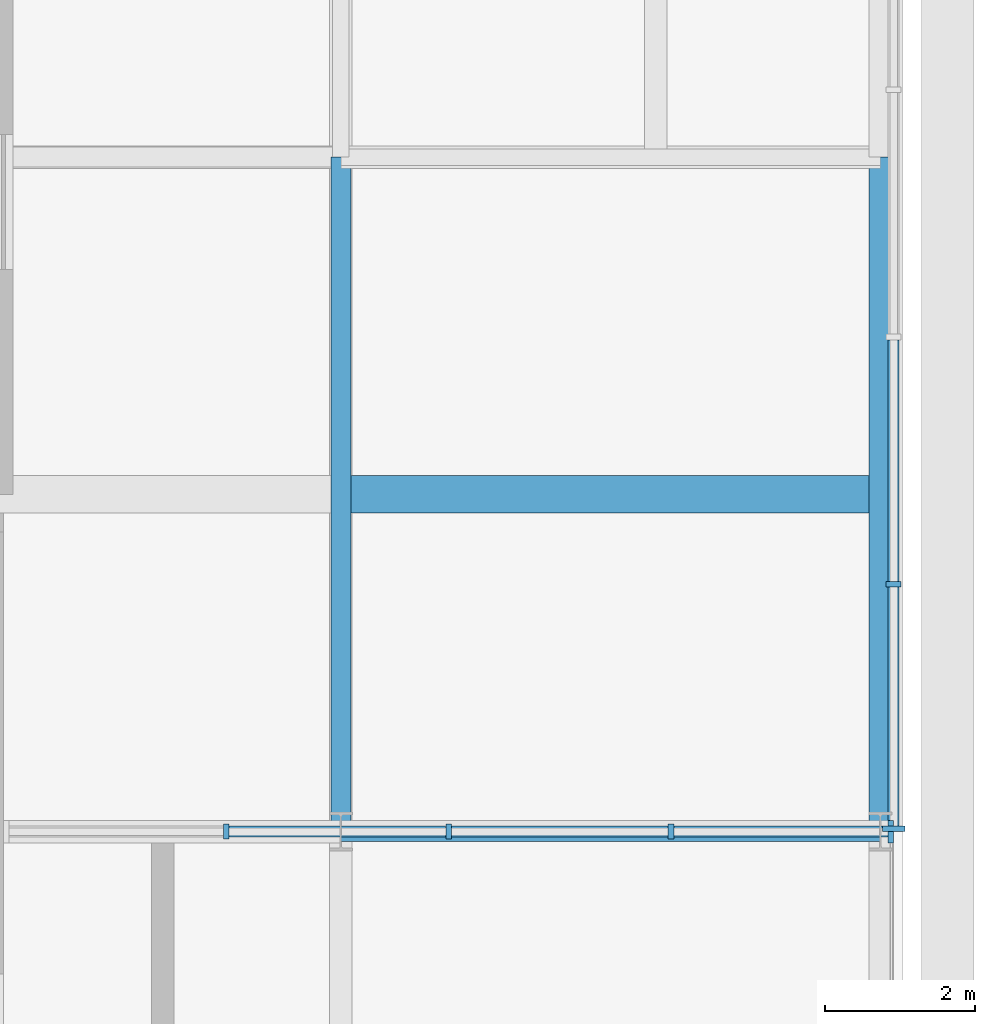
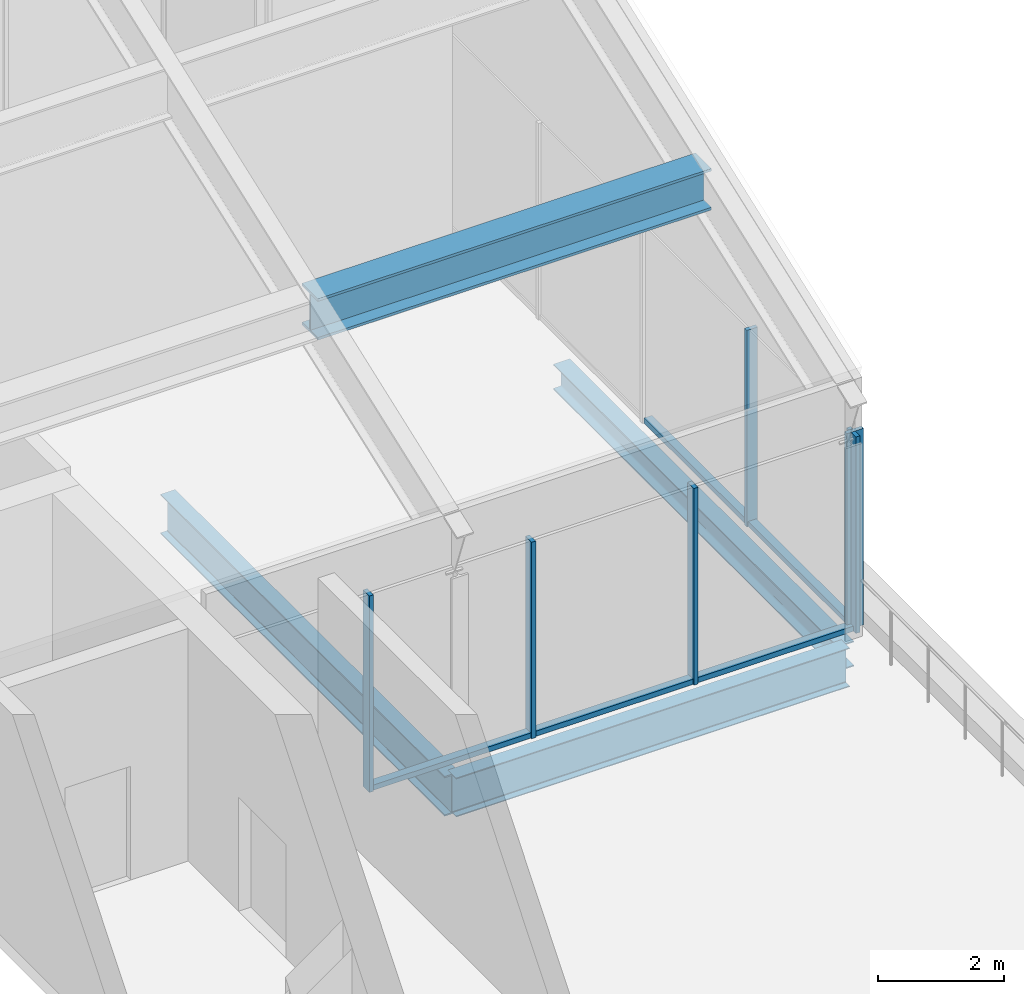
# One storey, part 4 of 10: 12 members, 3 beams, 2 elements without a shape of their own.
"""IFC4 building model written with IfcOpenShell, lengths in metres."""

from ifc_helpers import new_model, si_unit, direction, frame, origin, origin_2d, place, context, subcontext, project, spatial, rectangle, i_section, extrude, material, layer, layer_set, material_profile, profile_set, type_object, element, aggregate, save


model = new_model("IFC4")

# Units and contexts
model_context = context("Model", 3, precision=1e-05, world=origin(), true_north=direction((0.0, 1.0)))
body_context = subcontext(model_context, "Body", "Model", "MODEL_VIEW")
ifc_project = project(units=[si_unit("LENGTHUNIT", "METRE"), si_unit("AREAUNIT", "SQUARE_METRE"), si_unit("VOLUMEUNIT", "CUBIC_METRE"), si_unit("PLANEANGLEUNIT", "RADIAN"), si_unit("MASSUNIT", "GRAM", prefix="KILO")], contexts=[model_context])

# Site, building, storey
site_placement = place(None, origin())
site = spatial("IfcSite", under=ifc_project, at=site_placement, CompositionType="ELEMENT")
building_placement = place(site_placement, origin())
building = spatial("IfcBuilding", under=site, at=building_placement, Name="Malebo Sky Hospital", CompositionType="ELEMENT")
storey_placement = place(building_placement, frame((0.0, 0.0, 290.0)))
storey = spatial("IfcBuildingStorey", under=building, at=storey_placement, Name="RF", CompositionType="ELEMENT", Elevation=290.0)

# Curtain wall, members
ifc_material_1 = material(Name="Anodised aluminium, natural silver", Category="aluminium")
ifc_layer = layer(ifc_material_1, 0.25)
ifc_layer_set = layer_set([ifc_layer], Name="PENTHOUSE LOUVRE SCREEN")
curtain_wall_type = type_object("IfcCurtainWallType", Name="PENTHOUSE LOUVRE SCREEN", PredefinedType="NOTDEFINED", material=ifc_layer_set)
curtain_wall_1_placement = place(storey_placement, origin())
curtain_wall_1 = element("IfcCurtainWall", 1, at=curtain_wall_1_placement, inside=storey, type_object=curtain_wall_type, Name="ROOF curtain wall SE", PredefinedType="NOTDEFINED")
ifc_material_profile_1 = material_profile(ifc_material_1, rectangle(XDim=0.14990234375, YDim=0.10009765625, at=origin_2d()), Name="ALUMINIUM TRANSOM 150x100")
ifc_profile_set_1 = profile_set([ifc_material_profile_1], Name="Anodised aluminium, natural silver")
member_type_1 = type_object("IfcMemberType", Name="ALUMINIUM TRANSOM 150x100", PredefinedType="USERDEFINED", material=ifc_profile_set_1)
member_1_placement = place(storey_placement, frame((72.00634765625, 66.5, 0.050048828125), z_axis=(1.0, 0.0, 0.0), x_axis=(0.0, 1.0, 0.0)))
member_1 = element("IfcMember", 2, at=member_1_placement, type_object=member_type_1, Name="Transom 2", ObjectType="TRANSOM", PredefinedType="USERDEFINED", context=body_context, shape_type="SweptSolid", body=[
    extrude(rectangle(XDim=0.14990234375, YDim=0.10009765625, at=origin_2d()), origin(), (0.0, 0.0, 1.0), 2.8935546875),
])
member_2_placement = place(storey_placement, frame((74.97509765625, 66.5, 0.050048828125), z_axis=(1.0, 0.0, 0.0), x_axis=(0.0, 1.0, 0.0)))
member_2 = element("IfcMember", 3, at=member_2_placement, type_object=member_type_1, Name="Transom 3", ObjectType="TRANSOM", PredefinedType="USERDEFINED", context=body_context, shape_type="SweptSolid", body=[
    extrude(rectangle(XDim=0.14990234375, YDim=0.10009765625, at=origin_2d()), origin(), (0.0, 0.0, 1.0), 2.8935546875),
])
member_3_placement = place(storey_placement, frame((77.943603515625, 66.5, 0.050048828125), z_axis=(1.0, 0.0, 0.0), x_axis=(0.0, 1.0, 0.0)))
member_3 = element("IfcMember", 4, at=member_3_placement, type_object=member_type_1, Name="Transom 4", ObjectType="TRANSOM", PredefinedType="USERDEFINED", context=body_context, shape_type="SweptSolid", body=[
    extrude(rectangle(XDim=0.14990234375, YDim=0.10009765625, at=origin_2d()), origin(), (0.0, 0.0, 1.0), 2.8564453125),
])

curtain_wall_2_placement = place(storey_placement, origin())
curtain_wall_2 = element("IfcCurtainWall", 5, at=curtain_wall_2_placement, inside=storey, type_object=curtain_wall_type, Name="ROOF curtain wall E", PredefinedType="NOTDEFINED")
member_4_placement = place(storey_placement, frame((80.875, 66.574951171875, 0.050048828125), z_axis=(0.0, 1.0, 0.0), x_axis=(-1.0, 0.0, 0.0)))
member_4 = element("IfcMember", 6, at=member_4_placement, type_object=member_type_1, Name="Transom 1", ObjectType="TRANSOM", PredefinedType="USERDEFINED", context=body_context, shape_type="SweptSolid", body=[
    extrude(rectangle(XDim=0.14990234375, YDim=0.10009765625, at=origin_2d()), origin(), (0.0, 0.0, 1.0), 3.1875),
])
member_5_placement = place(storey_placement, frame((80.875, 69.83740234375, 0.050048828125), z_axis=(0.0, 1.0, 0.0), x_axis=(-1.0, 0.0, 0.0)))
member_5 = element("IfcMember", 7, at=member_5_placement, type_object=member_type_1, Name="Transom 2", ObjectType="TRANSOM", PredefinedType="USERDEFINED", context=body_context, shape_type="SweptSolid", body=[
    extrude(rectangle(XDim=0.14990234375, YDim=0.10009765625, at=origin_2d()), origin(), (0.0, 0.0, 1.0), 3.22509765625),
])

# Member
ifc_material_2 = material(Name="Steel S355", Category="steel")
ifc_material_profile_2 = material_profile(ifc_material_2, i_section(OverallWidth=0.5, OverallDepth=0.800048828125, WebThickness=0.030029296875, FlangeThickness=0.050048828125, at=origin_2d()), Name="PG 800x500x30x50")
ifc_profile_set_2 = profile_set([ifc_material_profile_2], Name="Steel S355")
member_type_2 = type_object("IfcMemberType", Name="CROWN PURLIN PG 800x500x30x50", PredefinedType="PURLIN", material=ifc_profile_set_2)
member_6_placement = place(storey_placement, frame((73.5, 71.0, 5.960693359375), z_axis=(1.0, 0.0, 0.0), x_axis=(0.0, 1.0, 0.0)))
element("IfcMember", 8, at=member_6_placement, inside=storey, type_object=member_type_2, Name="Crown purlin +9.0", PredefinedType="PURLIN", context=body_context, shape_type="SweptSolid", body=[
    extrude(i_section(OverallWidth=0.5, OverallDepth=0.800048828125, WebThickness=0.030029296875, FlangeThickness=0.050048828125, at=origin_2d()), origin(), (0.0, 0.0, 1.0), 7.199951171875),
])

ifc_material_profile_3 = material_profile(ifc_material_1, rectangle(XDim=0.074951171875, YDim=0.199951171875, at=origin_2d()), Name="CW6 ALUMINIUM FIN MULLION 75x200")
ifc_profile_set_3 = profile_set([ifc_material_profile_3], Name="Anodised aluminium, natural silver")
member_type_3 = type_object("IfcMemberType", Name="CW6 ALUMINIUM FIN MULLION 75x200", PredefinedType="MULLION", material=ifc_profile_set_3)
member_7_placement = place(storey_placement, frame((71.96875, 66.5, 0.0), z_axis=(0.0, 0.0, 1.0), x_axis=(1.0, 0.0, 0.0)))
member_7 = element("IfcMember", 9, at=member_7_placement, type_object=member_type_3, Name="Fin mullion 2", PredefinedType="MULLION", context=body_context, shape_type="SweptSolid", body=[
    extrude(rectangle(XDim=0.074951171875, YDim=0.199951171875, at=origin_2d()), origin(), (0.0, 0.0, 1.0), 3.800048828125),
])

member_8_placement = place(storey_placement, frame((74.9375, 66.5, 0.0), z_axis=(0.0, 0.0, 1.0), x_axis=(1.0, 0.0, 0.0)))
member_8 = element("IfcMember", 10, at=member_8_placement, type_object=member_type_3, Name="Fin mullion 3", PredefinedType="MULLION", context=body_context, shape_type="SweptSolid", body=[
    extrude(rectangle(XDim=0.074951171875, YDim=0.199951171875, at=origin_2d()), origin(), (0.0, 0.0, 1.0), 3.800048828125),
])

member_9_placement = place(storey_placement, frame((77.90625, 66.5, 0.0), z_axis=(0.0, 0.0, 1.0), x_axis=(1.0, 0.0, 0.0)))
member_9 = element("IfcMember", 11, at=member_9_placement, type_object=member_type_3, Name="Fin mullion 4", PredefinedType="MULLION", context=body_context, shape_type="SweptSolid", body=[
    extrude(rectangle(XDim=0.074951171875, YDim=0.199951171875, at=origin_2d()), origin(), (0.0, 0.0, 1.0), 3.800048828125),
])

member_10_placement = place(storey_placement, frame((80.875, 69.800048828125, 0.0), z_axis=(0.0, 0.0, 1.0), x_axis=(0.0, 1.0, 0.0)))
member_10 = element("IfcMember", 12, at=member_10_placement, type_object=member_type_3, Name="Fin mullion 2", PredefinedType="MULLION", context=body_context, shape_type="SweptSolid", body=[
    extrude(rectangle(XDim=0.074951171875, YDim=0.199951171875, at=origin_2d()), origin(), (0.0, 0.0, 1.0), 3.800048828125),
])

ifc_material_profile_4 = material_profile(ifc_material_1, rectangle(XDim=0.074951171875, YDim=0.300048828125, at=origin_2d()), Name="CW6 ALUMINIUM FIN MULLION 75x300")
ifc_profile_set_4 = profile_set([ifc_material_profile_4], Name="Anodised aluminium, natural silver")
member_type_4 = type_object("IfcMemberType", Name="CW6 ALUMINIUM FIN MULLION 75x300", PredefinedType="MULLION", material=ifc_profile_set_4)
member_11_placement = place(storey_placement, frame((80.83740234375, 66.5, 0.0), z_axis=(0.0, 0.0, 1.0), x_axis=(1.0, 0.0, 0.0)))
member_11 = element("IfcMember", 13, at=member_11_placement, type_object=member_type_4, Name="Fin mullion 5", PredefinedType="MULLION", context=body_context, shape_type="SweptSolid", body=[
    extrude(rectangle(XDim=0.074951171875, YDim=0.300048828125, at=origin_2d()), origin(), (0.0, 0.0, 1.0), 3.800048828125),
])

aggregate(curtain_wall_1, [member_7, member_8, member_9, member_11, member_1, member_2, member_3])

member_12_placement = place(storey_placement, frame((80.875, 66.53759765625, 0.0), z_axis=(0.0, 0.0, 1.0), x_axis=(0.0, 1.0, 0.0)))
member_12 = element("IfcMember", 14, at=member_12_placement, type_object=member_type_4, Name="Fin mullion 1", PredefinedType="MULLION", context=body_context, shape_type="SweptSolid", body=[
    extrude(rectangle(XDim=0.074951171875, YDim=0.300048828125, at=origin_2d()), origin(), (0.0, 0.0, 1.0), 3.800048828125),
])

aggregate(curtain_wall_2, [member_12, member_10, member_4, member_5])

# Beams
ifc_material_profile_5 = material_profile(ifc_material_2, i_section(OverallWidth=0.300048828125, OverallDepth=0.489990234375, WebThickness=0.011962890625, FlangeThickness=0.02294921875, FilletRadius=0.027099609375, at=origin_2d()), Name="HEA 500")
ifc_profile_set_5 = profile_set([ifc_material_profile_5], Name="Steel S355")
beam_type_1 = type_object("IfcBeamType", Name="EDGE BEAM HEA 500", PredefinedType="BEAM", material=ifc_profile_set_5)
beam_1_placement = place(storey_placement, frame((80.699951171875, 66.5, -0.4951171875), z_axis=(0.0, 1.0, 0.0), x_axis=(-1.0, 0.0, 0.0)))
element("IfcBeam", 15, at=beam_1_placement, inside=storey, type_object=beam_type_1, Name="Beam 032 RF", PredefinedType="BEAM", context=body_context, shape_type="SweptSolid", body=[
    extrude(i_section(OverallWidth=0.300048828125, OverallDepth=0.489990234375, WebThickness=0.011962890625, FlangeThickness=0.02294921875, FilletRadius=0.027099609375, at=origin_2d()), origin(), (0.0, 0.0, 1.0), 9.0),
])
ifc_material_profile_6 = material_profile(ifc_material_2, i_section(OverallWidth=0.262939453125, OverallDepth=0.7529296875, WebThickness=0.011474609375, FlangeThickness=0.01708984375, FilletRadius=0.01708984375, at=origin_2d()), Name="IPE 750x137")
ifc_profile_set_6 = profile_set([ifc_material_profile_6], Name="Steel S355")
beam_type_2 = type_object("IfcBeamType", Name="FLOOR BEAM IPE 750x137", PredefinedType="BEAM", material=ifc_profile_set_6)
beam_2_placement = place(storey_placement, frame((73.5, 66.5, -0.62646484375), z_axis=(1.0, 0.0, 0.0), x_axis=(0.0, 1.0, 0.0)))
element("IfcBeam", 16, at=beam_2_placement, inside=storey, type_object=beam_type_2, Name="Beam 055 RF", PredefinedType="BEAM", context=body_context, shape_type="SweptSolid", body=[
    extrude(i_section(OverallWidth=0.262939453125, OverallDepth=0.7529296875, WebThickness=0.011474609375, FlangeThickness=0.01708984375, FilletRadius=0.01708984375, at=origin_2d()), origin(), (0.0, 0.0, 1.0), 7.199951171875),
])
ifc_material_profile_7 = material_profile(ifc_material_2, i_section(OverallWidth=0.26806640625, OverallDepth=0.77001953125, WebThickness=0.015625, FlangeThickness=0.025390625, FilletRadius=0.01708984375, at=origin_2d()), Name="IPE 750x196")
ifc_profile_set_7 = profile_set([ifc_material_profile_7], Name="Steel S355")
beam_type_3 = type_object("IfcBeamType", Name="FLOOR BEAM IPE 750x196", PredefinedType="BEAM", material=ifc_profile_set_7)
beam_3_placement = place(storey_placement, frame((73.5, 66.5, -0.635009765625), z_axis=(0.0, 1.0, 0.0), x_axis=(-1.0, 0.0, 0.0)))
element("IfcBeam", 17, at=beam_3_placement, inside=storey, type_object=beam_type_3, Name="Beam 025 RF", PredefinedType="BEAM", context=body_context, shape_type="SweptSolid", body=[
    extrude(i_section(OverallWidth=0.26806640625, OverallDepth=0.77001953125, WebThickness=0.015625, FlangeThickness=0.025390625, FilletRadius=0.01708984375, at=origin_2d()), origin(), (0.0, 0.0, 1.0), 9.0),
])

save(model, "model.ifc")
